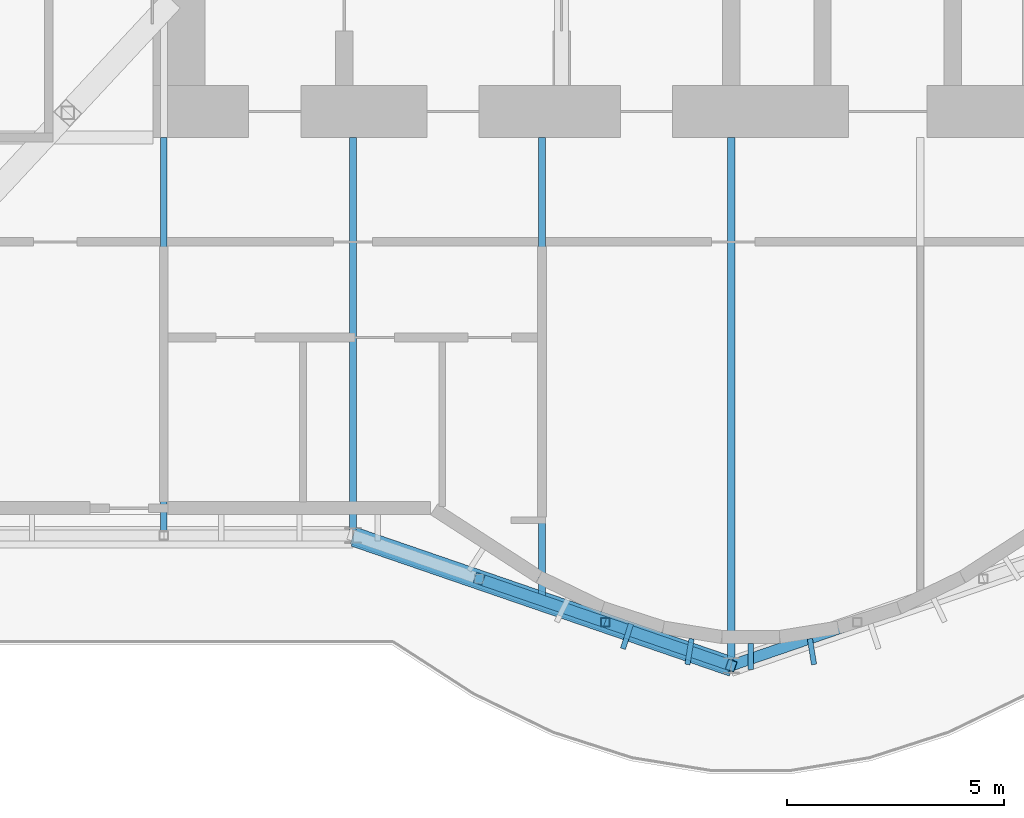
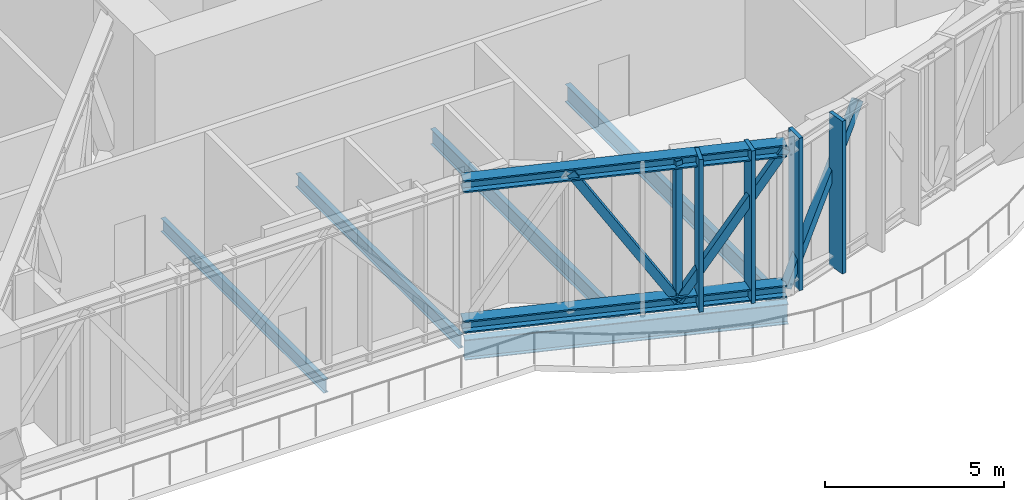
# One storey, part 4 of 20: 10 members, 5 beams, 1 element without a shape of its own.
"""IFC4 building model written with IfcOpenShell, lengths in metres."""

from ifc_helpers import new_model, si_unit, direction, frame, origin, origin_2d, place, context, subcontext, project, spatial, rectangle, hollow_rectangle, i_section, extrude, material, material_profile, profile_set, type_object, element, aggregate, save


model = new_model("IFC4")

# Units and contexts
model_context = context("Model", 3, precision=1e-05, world=origin(), true_north=direction((0.0, 1.0)))
body_context = subcontext(model_context, "Body", "Model", "MODEL_VIEW")
ifc_project = project(units=[si_unit("LENGTHUNIT", "METRE"), si_unit("AREAUNIT", "SQUARE_METRE"), si_unit("VOLUMEUNIT", "CUBIC_METRE"), si_unit("PLANEANGLEUNIT", "RADIAN"), si_unit("MASSUNIT", "GRAM", prefix="KILO")], contexts=[model_context])

# Site, building, storey
site_placement = place(None, origin())
site = spatial("IfcSite", under=ifc_project, at=site_placement, CompositionType="ELEMENT")
building_placement = place(site_placement, origin())
building = spatial("IfcBuilding", under=site, at=building_placement, Name="Bicima Exchange Tower", CompositionType="ELEMENT")
storey_placement = place(building_placement, frame((0.0, 0.0, 342.5)))
storey = spatial("IfcBuildingStorey", under=building, at=storey_placement, Name="L77", CompositionType="ELEMENT", Elevation=342.5)

# Curtain wall, members
ifc_material_1 = material(Name="Anodised bronze aluminium", Category="aluminium")
curtain_wall_type = type_object("IfcCurtainWallType", Name="Band blade screen", PredefinedType="NOTDEFINED", material=ifc_material_1)
curtain_wall_placement = place(storey_placement, origin())
curtain_wall = element("IfcCurtainWall", 1, at=curtain_wall_placement, inside=storey, type_object=curtain_wall_type, Name="Band blade screen L77", PredefinedType="NOTDEFINED")
ifc_material_profile_1 = material_profile(ifc_material_1, rectangle(XDim=0.60009765625, YDim=0.1201171875, at=origin_2d()))
ifc_profile_set_1 = profile_set([ifc_material_profile_1], Name="Anodised bronze aluminium")
member_type_1 = type_object("IfcMemberType", Name="Band blade fin 600 x 120", PredefinedType="USERDEFINED", material=ifc_profile_set_1)
member_1_placement = place(storey_placement, frame((-11.096435546875, -24.47412109375, 0.0), z_axis=(0.0, 0.0, 1.0), x_axis=(0.307552591055, 0.951531083956, 0.0)))
member_1 = element("IfcMember", 2, at=member_1_placement, type_object=member_type_1, Name="Band blade fin 27", ObjectType="FIN", PredefinedType="USERDEFINED", context=body_context, shape_type="SweptSolid", body=[
    extrude(rectangle(XDim=0.60009765625, YDim=0.1201171875, at=origin_2d()), origin(), (0.0, 0.0, 1.0), 5.199951171875),
])
member_2_placement = place(storey_placement, frame((-9.65869140625, -24.824462890625, 0.0), z_axis=(0.0, 0.0, 1.0), x_axis=(0.159533156447, 0.987192570877, 0.0)))
member_2 = element("IfcMember", 3, at=member_2_placement, type_object=member_type_1, Name="Band blade fin 28", ObjectType="FIN", PredefinedType="USERDEFINED", context=body_context, shape_type="SweptSolid", body=[
    extrude(rectangle(XDim=0.60009765625, YDim=0.1201171875, at=origin_2d()), origin(), (0.0, 0.0, 1.0), 5.199951171875),
])
member_3_placement = place(storey_placement, frame((-8.25, -24.93896484375, 0.0), z_axis=(0.0, 0.0, 1.0), x_axis=(0.0, 1.0, 0.0)))
member_3 = element("IfcMember", 4, at=member_3_placement, type_object=member_type_1, Name="Band blade fin 29", ObjectType="FIN", PredefinedType="USERDEFINED", context=body_context, shape_type="SweptSolid", body=[
    extrude(rectangle(XDim=0.60009765625, YDim=0.1201171875, at=origin_2d()), origin(), (0.0, 0.0, 1.0), 5.199951171875),
])
member_4_placement = place(storey_placement, frame((-6.84130859375, -24.824462890625, 0.0), z_axis=(0.0, 0.0, 1.0), x_axis=(-0.159533156447, 0.987192570877, 0.0)))
member_4 = element("IfcMember", 5, at=member_4_placement, type_object=member_type_1, Name="Band blade fin 30", ObjectType="FIN", PredefinedType="USERDEFINED", context=body_context, shape_type="SweptSolid", body=[
    extrude(rectangle(XDim=0.60009765625, YDim=0.1201171875, at=origin_2d()), origin(), (0.0, 0.0, 1.0), 5.199951171875),
])
aggregate(curtain_wall, [member_1, member_2, member_3, member_4])

# Members
ifc_material_2 = material(Name="Steel ASTM A992 Gr 50", Category="steel")
ifc_material_profile_2 = material_profile(ifc_material_2, i_section(OverallWidth=0.406494140625, OverallDepth=0.41650390625, WebThickness=0.030029296875, FlangeThickness=0.048095703125, at=origin_2d()))
ifc_profile_set_2 = profile_set([ifc_material_profile_2], Name="Steel ASTM A992 Gr 50")
member_type_2 = type_object("IfcMemberType", Name="Belt truss chord W14x257", PredefinedType="CHORD", material=ifc_profile_set_2)
for number, where, z_axis, x_axis, name in (
    (6, (-17.39990234375, -22.154052734375, 4.99169921875), (0.945674616091, -0.32511462668, 0.0), (0.32511462668, 0.945674616091, 0.0), "Top chord"),
    (7, (-17.39990234375, -22.154052734375, 0.208251953125), (0.945674616091, -0.32511462668, 0.0), (0.32511462668, 0.945674616091, 0.0), "Bottom chord"),
):
    element("IfcMember", number, at=place(storey_placement, frame(where, z_axis=z_axis, x_axis=x_axis)), inside=storey, type_object=member_type_2, Name=name, PredefinedType="CHORD", context=body_context, shape_type="SweptSolid", body=[
        extrude(i_section(OverallWidth=0.406494140625, OverallDepth=0.41650390625, WebThickness=0.030029296875, FlangeThickness=0.048095703125, at=origin_2d()), origin(), (0.0, 0.0, 1.0), 9.19970703125),
    ])
ifc_material_3 = material(Name="Steel ASTM A572 Gr 50", Category="steel")
ifc_material_profile_3 = material_profile(ifc_material_3, hollow_rectangle(XDim=0.25390625, YDim=0.25390625, WallThickness=0.01171875, at=origin_2d()))
ifc_profile_set_3 = profile_set([ifc_material_profile_3], Name="Steel ASTM A572 Gr 50")
member_type_3 = type_object("IfcMemberType", Name="Belt truss diagonal HSS10x10x1/2", PredefinedType="STRUT", material=ifc_profile_set_3)
member_5_placement = place(storey_placement, frame((-14.5, -23.15087890625, 4.99169921875), z_axis=(0.510367851701, -0.175479231045, -0.841862040611), x_axis=(0.325146518908, 0.945663651222, 0.0)))
element("IfcMember", 8, at=member_5_placement, inside=storey, type_object=member_type_3, Name="Truss diagonal", PredefinedType="STRUT", context=body_context, shape_type="SweptSolid", body=[
    extrude(hollow_rectangle(XDim=0.25390625, YDim=0.25390625, WallThickness=0.01171875, at=origin_2d()), origin(), (0.0, 0.0, 1.0), 5.681884765625),
])
member_6_placement = place(storey_placement, frame((-11.60009765625, -24.14794921875, 0.208251953125), z_axis=(0.510399626174, -0.175475382885, 0.841843579059), x_axis=(0.325122040768, 0.94567206716, 0.0)))
element("IfcMember", 9, at=member_6_placement, inside=storey, type_object=member_type_3, Name="Truss diagonal", PredefinedType="STRUT", context=body_context, shape_type="SweptSolid", body=[
    extrude(hollow_rectangle(XDim=0.25390625, YDim=0.25390625, WallThickness=0.01171875, at=origin_2d()), origin(), (0.0, 0.0, 1.0), 5.68212890625),
])
member_7_placement = place(storey_placement, frame((-8.699951171875, -25.14501953125, 0.208251953125), z_axis=(0.510367851701, 0.175479231045, 0.841862040611), x_axis=(-0.325146518908, 0.945663651222, 0.0)))
element("IfcMember", 10, at=member_7_placement, inside=storey, type_object=member_type_3, Name="Truss diagonal", PredefinedType="STRUT", context=body_context, shape_type="SweptSolid", body=[
    extrude(hollow_rectangle(XDim=0.25390625, YDim=0.25390625, WallThickness=0.01171875, at=origin_2d()), origin(), (0.0, 0.0, 1.0), 5.681884765625),
])
ifc_material_profile_4 = material_profile(ifc_material_3, hollow_rectangle(XDim=0.203125, YDim=0.203125, WallThickness=0.01171875, at=origin_2d()))
ifc_profile_set_4 = profile_set([ifc_material_profile_4], Name="Steel ASTM A572 Gr 50")
member_type_4 = type_object("IfcMemberType", Name="Belt truss post HSS8x8x1/2", PredefinedType="POST", material=ifc_profile_set_4)
member_8_placement = place(storey_placement, frame((-11.60009765625, -24.14794921875, 0.208251953125), z_axis=(0.0, 0.0, 1.0), x_axis=(1.0, 0.0, 0.0)))
element("IfcMember", 11, at=member_8_placement, inside=storey, type_object=member_type_4, Name="Truss post", PredefinedType="POST", context=body_context, shape_type="SweptSolid", body=[
    extrude(hollow_rectangle(XDim=0.203125, YDim=0.203125, WallThickness=0.01171875, at=origin_2d()), origin(), (0.0, 0.0, 1.0), 4.783447265625),
])

# Beams
ifc_material_profile_5 = material_profile(ifc_material_2, i_section(OverallWidth=0.15283203125, OverallDepth=0.45458984375, WebThickness=0.008056640625, FlangeThickness=0.013427734375, at=origin_2d()))
ifc_profile_set_5 = profile_set([ifc_material_profile_5], Name="Steel ASTM A992 Gr 50")
beam_type_1 = type_object("IfcBeamType", Name="Floor beam W18x40", PredefinedType="JOIST", material=ifc_profile_set_5)
for number, where, z_axis, x_axis, name in (
    (12, (-21.75, -13.0, -0.42724609375), (0.0, -1.0, 0.0), (1.0, 0.0, 0.0), "Floor beam"),
    (13, (-17.39990234375, -13.0, -0.42724609375), (0.0, -1.0, 0.0), (1.0, 0.0, 0.0), "Floor beam"),
):
    element("IfcBeam", number, at=place(storey_placement, frame(where, z_axis=z_axis, x_axis=x_axis)), inside=storey, type_object=beam_type_1, Name=name, PredefinedType="JOIST", context=body_context, shape_type="SweptSolid", body=[
        extrude(i_section(OverallWidth=0.15283203125, OverallDepth=0.45458984375, WebThickness=0.008056640625, FlangeThickness=0.013427734375, at=origin_2d()), origin(), (0.0, 0.0, 1.0), 9.11328125),
    ])
ifc_material_profile_6 = material_profile(ifc_material_2, i_section(OverallWidth=0.165771484375, OverallDepth=0.5283203125, WebThickness=0.009765625, FlangeThickness=0.013671875, at=origin_2d()))
ifc_profile_set_6 = profile_set([ifc_material_profile_6], Name="Steel ASTM A992 Gr 50")
beam_type_2 = type_object("IfcBeamType", Name="Floor beam W21x50", PredefinedType="JOIST", material=ifc_profile_set_6)
beam_1_placement = place(storey_placement, frame((-13.050048828125, -13.0, -0.464111328125), z_axis=(0.0, -1.0, 0.0), x_axis=(1.0, 0.0, 0.0)))
element("IfcBeam", 14, at=beam_1_placement, inside=storey, type_object=beam_type_2, Name="Floor beam", PredefinedType="JOIST", context=body_context, shape_type="SweptSolid", body=[
    extrude(i_section(OverallWidth=0.165771484375, OverallDepth=0.5283203125, WebThickness=0.009765625, FlangeThickness=0.013671875, at=origin_2d()), origin(), (0.0, 0.0, 1.0), 10.635986328125),
])
ifc_material_profile_7 = material_profile(ifc_material_2, i_section(OverallWidth=0.177978515625, OverallDepth=0.599365234375, WebThickness=0.010009765625, FlangeThickness=0.012939453125, at=origin_2d()))
ifc_profile_set_7 = profile_set([ifc_material_profile_7], Name="Steel ASTM A992 Gr 50")
beam_type_3 = type_object("IfcBeamType", Name="Floor beam W24x55", PredefinedType="JOIST", material=ifc_profile_set_7)
beam_2_placement = place(storey_placement, frame((-8.699951171875, -13.0, -0.499755859375), z_axis=(0.0, -1.0, 0.0), x_axis=(1.0, 0.0, 0.0)))
element("IfcBeam", 15, at=beam_2_placement, inside=storey, type_object=beam_type_3, Name="Floor beam", PredefinedType="JOIST", context=body_context, shape_type="SweptSolid", body=[
    extrude(i_section(OverallWidth=0.177978515625, OverallDepth=0.599365234375, WebThickness=0.010009765625, FlangeThickness=0.012939453125, at=origin_2d()), origin(), (0.0, 0.0, 1.0), 12.13134765625),
])
ifc_material_profile_8 = material_profile(ifc_material_2, i_section(OverallWidth=0.256591796875, OverallDepth=0.693359375, WebThickness=0.014404296875, FlangeThickness=0.023681640625, at=origin_2d()))
ifc_profile_set_8 = profile_set([ifc_material_profile_8], Name="Steel ASTM A992 Gr 50")
beam_type_4 = type_object("IfcBeamType", Name="Front girder W27x114", PredefinedType="BEAM", material=ifc_profile_set_8)
beam_3_placement = place(storey_placement, frame((-17.39990234375, -22.27587890625, -0.546630859375), z_axis=(0.945666456746, -0.325138359143, 0.0), x_axis=(0.325138359143, 0.945666456746, 0.0)))
element("IfcBeam", 16, at=beam_3_placement, inside=storey, type_object=beam_type_4, Name="Front girder", PredefinedType="BEAM", context=body_context, shape_type="SweptSolid", body=[
    extrude(i_section(OverallWidth=0.256591796875, OverallDepth=0.693359375, WebThickness=0.014404296875, FlangeThickness=0.023681640625, at=origin_2d()), origin(), (0.0, 0.0, 1.0), 9.19970703125),
])

save(model, "model.ifc")
